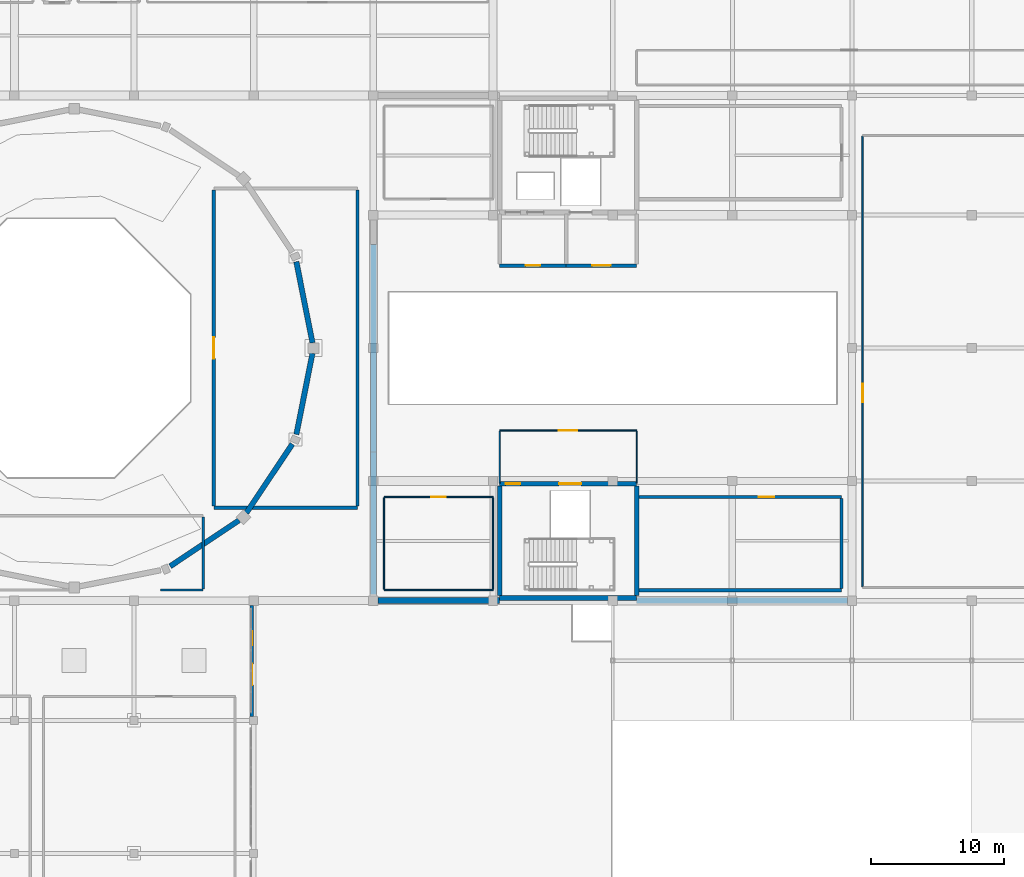
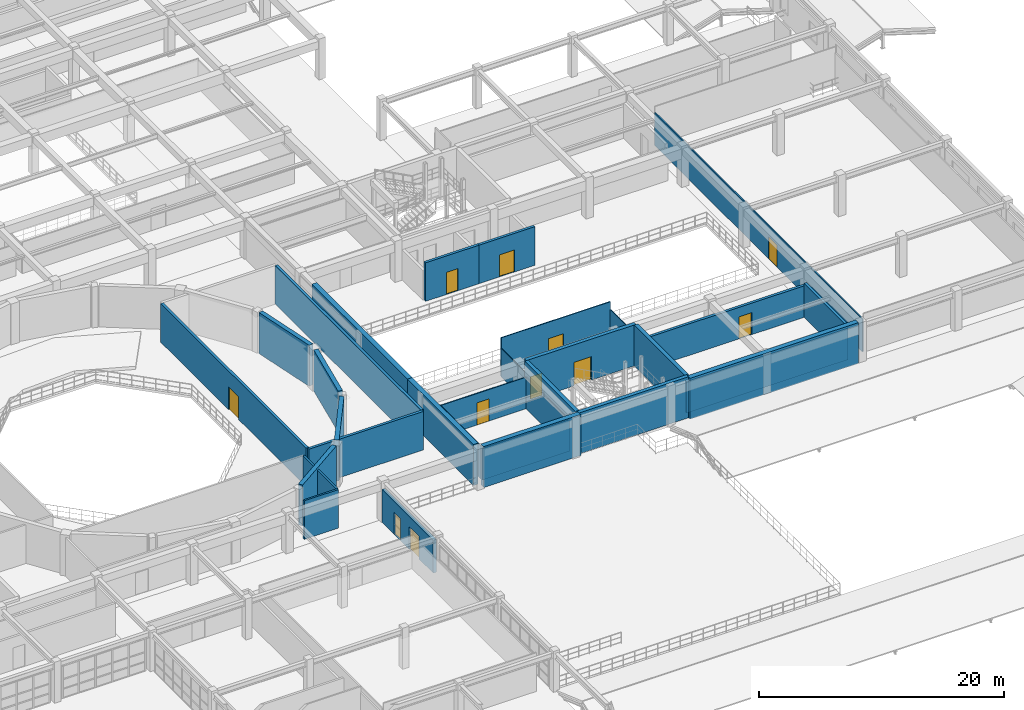
# One storey, part 95 of 110: 31 walls, 11 doors, 11 openings.
"""IFC4 building model written with IfcOpenShell, lengths in metres."""

from ifc_helpers import new_model, si_unit, direction, frame, frame_2d, origin, place, context, subcontext, project, spatial, rectangle, extrude, material, layer, layer_set, type_object, element, fill, save


model = new_model("IFC4")

# Units and contexts
model_context = context("Model", 3, precision=1e-05, world=origin(), true_north=direction((0.0, 1.0)))
body_context = subcontext(model_context, "Body", "Model", "MODEL_VIEW")
ifc_project = project(units=[si_unit("LENGTHUNIT", "METRE"), si_unit("AREAUNIT", "SQUARE_METRE"), si_unit("VOLUMEUNIT", "CUBIC_METRE"), si_unit("PLANEANGLEUNIT", "RADIAN"), si_unit("MASSUNIT", "GRAM", prefix="KILO")], contexts=[model_context])

# Site, building, storey
site_placement = place(None, origin())
site = spatial("IfcSite", under=ifc_project, at=site_placement, CompositionType="ELEMENT")
building_placement = place(site_placement, origin())
building = spatial("IfcBuilding", under=site, at=building_placement, Name="Miravela Opera House", CompositionType="ELEMENT")
storey_placement = place(building_placement, frame((0.0, 0.0, 13.60009765625)))
storey = spatial("IfcBuildingStorey", under=building, at=storey_placement, Name="L03", CompositionType="ELEMENT", Elevation=13.60009765625)

# Wall, openings, doors
ifc_material_1 = material(Name="Insulated cream lime-stuccoed masonry", Category="masonry")
ifc_layer_1 = layer(ifc_material_1, 0.2900390625)
ifc_layer_set_1 = layer_set([ifc_layer_1])
wall_type_1 = type_object("IfcWallType", Name="ARC-EW-STUCCO-290", PredefinedType="STANDARD", material=ifc_layer_set_1)
wall_1_placement = place(storey_placement, frame((89.85009765625, 28.300048828125, 0.0), z_axis=(0.0, 0.0, 1.0), x_axis=(0.0, 1.0, 0.0)))
wall_1 = element("IfcWall", 1, at=wall_1_placement, inside=storey, type_object=wall_type_1, Name="L03 South Planted Roof Terrace Portal Wall", PredefinedType="STANDARD", context=body_context, shape_type="SweptSolid", body=[
    extrude(rectangle(XDim=8.349853515625, YDim=0.2900390625, at=frame_2d((4.1748046875, 0.0))), origin(), (0.0, 0.0, 1.0), 3.27685546875),
])
opening_1_placement = place(wall_1_placement, frame((2.35009765625, 0.0, 0.0)))
opening_1 = element("IfcOpeningElement", 2, at=opening_1_placement, cuts=wall_1, Name="Opening TD-01", PredefinedType="OPENING", context=body_context, shape_type="SweptSolid", body=[
    extrude(rectangle(XDim=1.60009765625, YDim=2.25, at=frame_2d((0.800048828125, 1.125))), frame((0.0, 0.155029296875, 0.0), z_axis=(0.0, -1.0, 0.0), x_axis=(1.0, 0.0, 0.0)), (0.0, 0.0, 1.0), 0.31005859375),
])
opening_2_placement = place(wall_1_placement, frame((5.35009765625, 0.0, 0.0)))
opening_2 = element("IfcOpeningElement", 3, at=opening_2_placement, cuts=wall_1, Name="Opening TD-02", PredefinedType="OPENING", context=body_context, shape_type="SweptSolid", body=[
    extrude(rectangle(XDim=1.050048828125, YDim=2.199951171875, at=frame_2d((0.52490234375, 1.10009765625))), frame((0.0, 0.155029296875, 0.0), z_axis=(0.0, -1.0, 0.0), x_axis=(1.0, 0.0, 0.0)), (0.0, 0.0, 1.0), 0.31005859375),
])
ifc_material_2 = material(Name="Anodised architectural bronze aluminium 6063-T6", Category="aluminium")
door_type_1 = type_object("IfcDoorType", Name="ARC-TD-1050X2200", OperationType="NOTDEFINED", PredefinedType="DOOR", material=ifc_material_2)
door_1_placement = place(opening_2_placement, frame((1.050048828125, 0.0, 0.0), z_axis=(0.0, 0.0, 1.0), x_axis=(-1.0, 0.0, 0.0)))
door_1 = element("IfcDoor", 4, at=door_1_placement, inside=storey, type_object=door_type_1, Name="L03 South Planted Roof Terrace Access Door 2 EXD-L03-031", OperationType="SINGLE_SWING_LEFT", OverallHeight=2.199951171875, OverallWidth=1.050048828125, PredefinedType="DOOR", context=body_context, shape_type="SweptSolid", body=[
    extrude(rectangle(XDim=1.050048828125, YDim=2.199951171875, at=frame_2d((0.52490234375, 1.10009765625))), frame((0.0, 0.02490234375, 0.0), z_axis=(0.0, -1.0, 0.0), x_axis=(1.0, 0.0, 0.0)), (0.0, 0.0, 1.0), 0.050048828125),
])
fill(opening_2, door_1)
door_type_2 = type_object("IfcDoorType", Name="ARC-TD-1600X2250", OperationType="NOTDEFINED", PredefinedType="DOOR", material=ifc_material_2)
door_2_placement = place(opening_1_placement, frame((1.60009765625, 0.0, 0.0), z_axis=(0.0, 0.0, 1.0), x_axis=(-1.0, 0.0, 0.0)))
door_2 = element("IfcDoor", 5, at=door_2_placement, inside=storey, type_object=door_type_2, Name="L03 South Planted Roof Terrace Access Door 1 EXD-L03-030", OperationType="DOUBLE_DOOR_SINGLE_SWING", OverallHeight=2.25, OverallWidth=1.60009765625, PredefinedType="DOOR", context=body_context, shape_type="SweptSolid", body=[
    extrude(rectangle(XDim=1.60009765625, YDim=2.25, at=frame_2d((0.800048828125, 1.125))), frame((0.0, 0.02490234375, 0.0), z_axis=(0.0, -1.0, 0.0), x_axis=(1.0, 0.0, 0.0)), (0.0, 0.0, 1.0), 0.050048828125),
])
fill(opening_1, door_2)

# Wall, opening, door
ifc_material_3 = material(Name="Acoustic metal-stud gypsum partition")
ifc_layer_2 = layer(ifc_material_3, 0.090087890625)
ifc_layer_set_2 = layer_set([ifc_layer_2])
wall_type_2 = type_object("IfcWallType", Name="ARC-PT-090", PredefinedType="PARTITIONING", material=ifc_layer_set_2)
wall_2_placement = place(storey_placement, frame((108.5, 49.800048828125, 0.0), z_axis=(0.0, 0.0, 1.0), x_axis=(1.0, 0.0, 0.0)))
wall_2 = element("IfcWall", 6, at=wall_2_placement, inside=storey, type_object=wall_type_2, Name="Passenger Lift Lobby K4 L03 Partition North", PredefinedType="PARTITIONING", context=body_context, shape_type="SweptSolid", body=[
    extrude(rectangle(XDim=10.300048828125, YDim=0.090087890625, at=frame_2d((5.14990234375, 0.0))), origin(), (0.0, 0.0, 1.0), 3.83984375),
])
opening_3_placement = place(wall_2_placement, frame((4.449951171875, 0.0, 0.0)))
opening_3 = element("IfcOpeningElement", 7, at=opening_3_placement, cuts=wall_2, Name="Opening FD-03", PredefinedType="OPENING", context=body_context, shape_type="SweptSolid", body=[
    extrude(rectangle(XDim=1.39990234375, YDim=2.199951171875, at=frame_2d((0.699951171875, 1.10009765625))), frame((0.0, 0.054931640625, 0.0), z_axis=(0.0, -1.0, 0.0), x_axis=(1.0, 0.0, 0.0)), (0.0, 0.0, 1.0), 0.110107421875),
])
ifc_material_4 = material(Name="Fire-rated lobby/archive double door")
door_type_3 = type_object("IfcDoorType", Name="ARC-FD-1400X2200", OperationType="NOTDEFINED", PredefinedType="DOOR", material=ifc_material_4)
door_3_placement = place(opening_3_placement, origin())
door_3 = element("IfcDoor", 8, at=door_3_placement, inside=storey, type_object=door_type_3, Name="Passenger Lift Lobby K4 L03 Entry Door IDR-L03-0265", OperationType="DOUBLE_DOOR_SINGLE_SWING", OverallHeight=2.199951171875, OverallWidth=1.39990234375, PredefinedType="DOOR", context=body_context, shape_type="SweptSolid", body=[
    extrude(rectangle(XDim=1.39990234375, YDim=2.199951171875, at=frame_2d((0.699951171875, 1.10009765625))), frame((0.0, 0.02490234375, 0.0), z_axis=(0.0, -1.0, 0.0), x_axis=(1.0, 0.0, 0.0)), (0.0, 0.0, 1.0), 0.050048828125),
])
fill(opening_3, door_3)

# Walls
wall_3_placement = place(storey_placement, frame((108.5, 45.844970703125, 0.0), z_axis=(0.0, 0.0, 1.0), x_axis=(0.0, 1.0, 0.0)))
element("IfcWall", 9, at=wall_3_placement, inside=storey, type_object=wall_type_2, Name="Passenger Lift Lobby K4 L03 Partition West", PredefinedType="PARTITIONING", context=body_context, shape_type="SweptSolid", body=[
    extrude(rectangle(XDim=3.909912109375, YDim=0.090087890625, at=frame_2d((1.955078125, 0.0))), origin(), (0.0, 0.0, 1.0), 2.81982421875),
])
wall_4_placement = place(storey_placement, frame((118.800048828125, 45.844970703125, 0.0), z_axis=(0.0, 0.0, 1.0), x_axis=(0.0, 1.0, 0.0)))
element("IfcWall", 10, at=wall_4_placement, inside=storey, type_object=wall_type_2, Name="Passenger Lift Lobby K4 L03 Partition East", PredefinedType="PARTITIONING", context=body_context, shape_type="SweptSolid", body=[
    extrude(rectangle(XDim=3.909912109375, YDim=0.090087890625, at=frame_2d((1.955078125, 0.0))), origin(), (0.0, 0.0, 1.0), 3.06982421875),
])
wall_5_placement = place(storey_placement, frame((99.800048828125, 37.800048828125, 0.0), z_axis=(0.0, 0.0, 1.0), x_axis=(1.0, 0.0, 0.0)))
element("IfcWall", 11, at=wall_5_placement, inside=storey, type_object=wall_type_2, Name="Orchestral Conducting Seminar Room Partition South", PredefinedType="PARTITIONING", context=body_context, shape_type="SweptSolid", body=[
    extrude(rectangle(XDim=8.199951171875, YDim=0.090087890625, at=frame_2d((4.10009765625, 0.0))), origin(), (0.0, 0.0, 1.0), 3.139892578125),
])

# Wall, opening, door
wall_6_placement = place(storey_placement, frame((99.800048828125, 44.800048828125, 0.0), z_axis=(0.0, 0.0, 1.0), x_axis=(1.0, 0.0, 0.0)))
wall_6 = element("IfcWall", 12, at=wall_6_placement, inside=storey, type_object=wall_type_2, Name="Orchestral Conducting Seminar Room Partition North", PredefinedType="PARTITIONING", context=body_context, shape_type="SweptSolid", body=[
    extrude(rectangle(XDim=8.199951171875, YDim=0.090087890625, at=frame_2d((4.10009765625, 0.0))), origin(), (0.0, 0.0, 1.0), 3.139892578125),
])
opening_4_placement = place(wall_6_placement, frame((3.550048828125, 0.0, 0.0)))
opening_4 = element("IfcOpeningElement", 13, at=opening_4_placement, cuts=wall_6, Name="Opening ID-03", PredefinedType="OPENING", context=body_context, shape_type="SweptSolid", body=[
    extrude(rectangle(XDim=1.10009765625, YDim=2.199951171875, at=frame_2d((0.550048828125, 1.10009765625))), frame((0.0, 0.054931640625, 0.0), z_axis=(0.0, -1.0, 0.0), x_axis=(1.0, 0.0, 0.0)), (0.0, 0.0, 1.0), 0.110107421875),
])
ifc_material_5 = material(Name="Acoustic hardwood studio door", Category="wood")
door_type_4 = type_object("IfcDoorType", Name="ARC-DR-1100X2200", OperationType="NOTDEFINED", PredefinedType="DOOR", material=ifc_material_5)
door_4_placement = place(opening_4_placement, frame((1.10009765625, 0.0, 0.0), z_axis=(0.0, 0.0, 1.0), x_axis=(-1.0, 0.0, 0.0)))
door_4 = element("IfcDoor", 14, at=door_4_placement, inside=storey, type_object=door_type_4, Name="Orchestral Conducting Seminar Room Entry Door IDR-L03-0295", OperationType="SINGLE_SWING_RIGHT", OverallHeight=2.199951171875, OverallWidth=1.10009765625, PredefinedType="DOOR", context=body_context, shape_type="SweptSolid", body=[
    extrude(rectangle(XDim=1.10009765625, YDim=2.199951171875, at=frame_2d((0.550048828125, 1.10009765625))), frame((0.0, 0.02490234375, 0.0), z_axis=(0.0, -1.0, 0.0), x_axis=(1.0, 0.0, 0.0)), (0.0, 0.0, 1.0), 0.050048828125),
])
fill(opening_4, door_4)

# Walls
wall_7_placement = place(storey_placement, frame((99.800048828125, 37.844970703125, 0.0), z_axis=(0.0, 0.0, 1.0), x_axis=(0.0, 1.0, 0.0)))
element("IfcWall", 15, at=wall_7_placement, inside=storey, type_object=wall_type_2, Name="Orchestral Conducting Seminar Room Partition West", PredefinedType="PARTITIONING", context=body_context, shape_type="SweptSolid", body=[
    extrude(rectangle(XDim=6.909912109375, YDim=0.090087890625, at=frame_2d((3.455078125, 0.0))), origin(), (0.0, 0.0, 1.0), 3.286865234375),
])
wall_8_placement = place(storey_placement, frame((108.0, 37.844970703125, 0.0), z_axis=(0.0, 0.0, 1.0), x_axis=(0.0, 1.0, 0.0)))
element("IfcWall", 16, at=wall_8_placement, inside=storey, type_object=wall_type_2, Name="Orchestral Conducting Seminar Room Partition East", PredefinedType="PARTITIONING", context=body_context, shape_type="SweptSolid", body=[
    extrude(rectangle(XDim=6.909912109375, YDim=0.090087890625, at=frame_2d((3.455078125, 0.0))), origin(), (0.0, 0.0, 1.0), 3.139892578125),
])

# Wall, opening, door
ifc_material_6 = material(Name="Double-layer acoustic gypsum partition")
ifc_layer_3 = layer(ifc_material_6, 0.110107421875)
ifc_layer_set_3 = layer_set([ifc_layer_3])
wall_type_3 = type_object("IfcWallType", Name="ARC-PT-110", PredefinedType="PARTITIONING", material=ifc_layer_set_3)
wall_9_placement = place(storey_placement, frame((135.800048828125, 38.054931640625, 0.0), z_axis=(0.0, 0.0, 1.0), x_axis=(0.0, 1.0, 0.0)))
wall_9 = element("IfcWall", 17, at=wall_9_placement, inside=storey, type_object=wall_type_3, Name="Stage Automation and Surtitle Studio Partition West", PredefinedType="PARTITIONING", context=body_context, shape_type="SweptSolid", body=[
    extrude(rectangle(XDim=33.89013671875, YDim=0.110107421875, at=frame_2d((16.945068359375, 0.0))), origin(), (0.0, 0.0, 1.0), 3.27685546875),
])
opening_5_placement = place(wall_9_placement, frame((13.87109375, 0.0, 0.0)))
opening_5 = element("IfcOpeningElement", 18, at=opening_5_placement, cuts=wall_9, Name="Opening FD-03", PredefinedType="OPENING", context=body_context, shape_type="SweptSolid", body=[
    extrude(rectangle(XDim=1.39990234375, YDim=2.199951171875, at=frame_2d((0.699951171875, 1.10009765625))), frame((0.0, 0.06494140625, 0.0), z_axis=(0.0, -1.0, 0.0), x_axis=(1.0, 0.0, 0.0)), (0.0, 0.0, 1.0), 0.130126953125),
])
door_5_placement = place(opening_5_placement, frame((1.39990234375, 0.0, 0.0), z_axis=(0.0, 0.0, 1.0), x_axis=(-1.0, 0.0, 0.0)))
door_5 = element("IfcDoor", 19, at=door_5_placement, inside=storey, type_object=door_type_3, Name="Stage Automation and Surtitle Studio Entry Door IDR-L03-0286", OperationType="DOUBLE_DOOR_SINGLE_SWING", OverallHeight=2.199951171875, OverallWidth=1.39990234375, PredefinedType="DOOR", context=body_context, shape_type="SweptSolid", body=[
    extrude(rectangle(XDim=1.39990234375, YDim=2.199951171875, at=frame_2d((0.699951171875, 1.10009765625))), frame((0.0, 0.02490234375, 0.0), z_axis=(0.0, -1.0, 0.0), x_axis=(1.0, 0.0, 0.0)), (0.0, 0.0, 1.0), 0.050048828125),
])
fill(opening_5, door_5)

# Walls
ifc_material_7 = material(Name="Rehearsal isolated acoustic partition")
ifc_layer_4 = layer(ifc_material_7, 0.169921875)
ifc_layer_set_4 = layer_set([ifc_layer_4])
wall_type_4 = type_object("IfcWallType", Name="ARC-PT-170", PredefinedType="PARTITIONING", material=ifc_layer_set_4)
wall_10_placement = place(storey_placement, frame((82.99609375, 37.800048828125, 0.0), z_axis=(0.0, 0.0, 1.0), x_axis=(1.0, 0.0, 0.0)))
element("IfcWall", 20, at=wall_10_placement, inside=storey, type_object=wall_type_4, Name="Principal Dancer Dressing Suite Partition South 2", PredefinedType="PARTITIONING", context=body_context, shape_type="SweptSolid", body=[
    extrude(rectangle(XDim=3.203857421875, YDim=0.169921875, at=frame_2d((1.60205078125, 0.0))), origin(), (0.0, 0.0, 1.0), 3.83984375),
])
wall_11_placement = place(storey_placement, frame((86.199951171875, 37.885009765625, 0.0), z_axis=(0.0, 0.0, 1.0), x_axis=(0.0, 1.0, 0.0)))
element("IfcWall", 21, at=wall_11_placement, inside=storey, type_object=wall_type_4, Name="Principal Dancer Dressing Suite Partition East", PredefinedType="PARTITIONING", context=body_context, shape_type="SweptSolid", body=[
    extrude(rectangle(XDim=5.429931640625, YDim=0.169921875, at=frame_2d((2.71484375, 0.0))), origin(), (0.0, 0.0, 1.0), 3.83984375),
])

# Wall, opening, door
ifc_material_8 = material(Name="Firefighting lobby compartment wall")
ifc_layer_5 = layer(ifc_material_8, 0.25)
ifc_layer_set_5 = layer_set([ifc_layer_5])
wall_type_5 = type_object("IfcWallType", Name="ARC-PT-220", PredefinedType="PARTITIONING", material=ifc_layer_set_5)
wall_12_placement = place(storey_placement, frame((108.5, 62.199951171875, 0.0), z_axis=(0.0, 0.0, 1.0), x_axis=(1.0, 0.0, 0.0)))
wall_12 = element("IfcWall", 22, at=wall_12_placement, inside=storey, type_object=wall_type_5, Name="Firefighting Lobby K3 L03 Partition South", PredefinedType="PARTITIONING", context=body_context, shape_type="SweptSolid", body=[
    extrude(rectangle(XDim=5.0, YDim=0.25, at=frame_2d((2.5, 0.0))), origin(), (0.0, 0.0, 1.0), 3.83984375),
])
opening_6_placement = place(wall_12_placement, frame((1.949951171875, 0.0, 0.0)))
opening_6 = element("IfcOpeningElement", 23, at=opening_6_placement, cuts=wall_12, Name="Opening FD-01", PredefinedType="OPENING", context=body_context, shape_type="SweptSolid", body=[
    extrude(rectangle(XDim=1.10009765625, YDim=2.199951171875, at=frame_2d((0.550048828125, 1.10009765625))), frame((0.0, 0.135009765625, 0.0), z_axis=(0.0, -1.0, 0.0), x_axis=(1.0, 0.0, 0.0)), (0.0, 0.0, 1.0), 0.27001953125),
])
ifc_material_9 = material(Name="Fire-rated steel/hardwood exit stair door", Category="steel")
door_type_5 = type_object("IfcDoorType", Name="ARC-FD-1100X2200", OperationType="NOTDEFINED", PredefinedType="DOOR", material=ifc_material_9)
door_6_placement = place(opening_6_placement, frame((1.10009765625, 0.0, 0.0), z_axis=(0.0, 0.0, 1.0), x_axis=(-1.0, 0.0, 0.0)))
door_6 = element("IfcDoor", 24, at=door_6_placement, inside=storey, type_object=door_type_5, Name="Firefighting Lobby K3 L03 Entry Door IDR-L03-0263", OperationType="SINGLE_SWING_LEFT", OverallHeight=2.199951171875, OverallWidth=1.10009765625, PredefinedType="DOOR", context=body_context, shape_type="SweptSolid", body=[
    extrude(rectangle(XDim=1.10009765625, YDim=2.199951171875, at=frame_2d((0.550048828125, 1.10009765625))), frame((0.0, 0.02490234375, 0.0), z_axis=(0.0, -1.0, 0.0), x_axis=(1.0, 0.0, 0.0)), (0.0, 0.0, 1.0), 0.050048828125),
])
fill(opening_6, door_6)

wall_13_placement = place(storey_placement, frame((113.5, 62.199951171875, 0.0), z_axis=(0.0, 0.0, 1.0), x_axis=(1.0, 0.0, 0.0)))
wall_13 = element("IfcWall", 25, at=wall_13_placement, inside=storey, type_object=wall_type_5, Name="Passenger Lift Lobby K3 L03 Partition South", PredefinedType="PARTITIONING", context=body_context, shape_type="SweptSolid", body=[
    extrude(rectangle(XDim=5.300048828125, YDim=0.25, at=frame_2d((2.64990234375, 0.0))), origin(), (0.0, 0.0, 1.0), 3.83984375),
])
opening_7_placement = place(wall_13_placement, frame((1.949951171875, 0.0, 0.0)))
opening_7 = element("IfcOpeningElement", 26, at=opening_7_placement, cuts=wall_13, Name="Opening FD-03", PredefinedType="OPENING", context=body_context, shape_type="SweptSolid", body=[
    extrude(rectangle(XDim=1.39990234375, YDim=2.199951171875, at=frame_2d((0.699951171875, 1.10009765625))), frame((0.0, 0.135009765625, 0.0), z_axis=(0.0, -1.0, 0.0), x_axis=(1.0, 0.0, 0.0)), (0.0, 0.0, 1.0), 0.27001953125),
])
door_7_placement = place(opening_7_placement, frame((1.39990234375, 0.0, 0.0), z_axis=(0.0, 0.0, 1.0), x_axis=(-1.0, 0.0, 0.0)))
door_7 = element("IfcDoor", 27, at=door_7_placement, inside=storey, type_object=door_type_3, Name="Passenger Lift Lobby K3 L03 Entry Door IDR-L03-0264", OperationType="DOUBLE_DOOR_SINGLE_SWING", OverallHeight=2.199951171875, OverallWidth=1.39990234375, PredefinedType="DOOR", context=body_context, shape_type="SweptSolid", body=[
    extrude(rectangle(XDim=1.39990234375, YDim=2.199951171875, at=frame_2d((0.699951171875, 1.10009765625))), frame((0.0, 0.02490234375, 0.0), z_axis=(0.0, -1.0, 0.0), x_axis=(1.0, 0.0, 0.0)), (0.0, 0.0, 1.0), 0.050048828125),
])
fill(opening_7, door_7)

# Wall
wall_14_placement = place(storey_placement, frame((87.0, 44.0, 0.0), z_axis=(0.0, 0.0, 1.0), x_axis=(1.0, 0.0, 0.0)))
element("IfcWall", 28, at=wall_14_placement, inside=storey, type_object=wall_type_5, Name="Opera Auditorium Upper Circle Partition South", PredefinedType="PARTITIONING", context=body_context, shape_type="SweptSolid", body=[
    extrude(rectangle(XDim=10.800048828125, YDim=0.25, at=frame_2d((5.39990234375, 0.0))), origin(), (0.0, 0.0, 1.0), 3.83984375),
])

# Wall, opening, door
wall_15_placement = place(storey_placement, frame((87.0, 44.125, 0.0), z_axis=(0.0, 0.0, 1.0), x_axis=(0.0, 1.0, 0.0)))
wall_15 = element("IfcWall", 29, at=wall_15_placement, inside=storey, type_object=wall_type_5, Name="Opera Auditorium Upper Circle Partition West", PredefinedType="PARTITIONING", context=body_context, shape_type="SweptSolid", body=[
    extrude(rectangle(XDim=23.75, YDim=0.25, at=frame_2d((11.875, 0.0))), origin(), (0.0, 0.0, 1.0), 3.83984375),
])
opening_8_placement = place(wall_15_placement, frame((11.074951171875, 0.0, 0.0)))
opening_8 = element("IfcOpeningElement", 30, at=opening_8_placement, cuts=wall_15, Name="Opening FD-04", PredefinedType="OPENING", context=body_context, shape_type="SweptSolid", body=[
    extrude(rectangle(XDim=1.60009765625, YDim=2.25, at=frame_2d((0.800048828125, 1.125))), frame((0.0, 0.135009765625, 0.0), z_axis=(0.0, -1.0, 0.0), x_axis=(1.0, 0.0, 0.0)), (0.0, 0.0, 1.0), 0.27001953125),
])
ifc_material_10 = material(Name="Fire-rated rehearsal/vomitory double door")
door_type_6 = type_object("IfcDoorType", Name="ARC-FD-1600X2250", OperationType="NOTDEFINED", PredefinedType="DOOR", material=ifc_material_10)
door_8_placement = place(opening_8_placement, origin())
door_8 = element("IfcDoor", 31, at=door_8_placement, inside=storey, type_object=door_type_6, Name="Opera Auditorium Upper Circle Entry Door IDR-L03-0271", OperationType="DOUBLE_DOOR_SINGLE_SWING", OverallHeight=2.25, OverallWidth=1.60009765625, PredefinedType="DOOR", context=body_context, shape_type="SweptSolid", body=[
    extrude(rectangle(XDim=1.60009765625, YDim=2.25, at=frame_2d((0.800048828125, 1.125))), frame((0.0, 0.02490234375, 0.0), z_axis=(0.0, -1.0, 0.0), x_axis=(1.0, 0.0, 0.0)), (0.0, 0.0, 1.0), 0.050048828125),
])
fill(opening_8, door_8)

# Walls
wall_16_placement = place(storey_placement, frame((97.800048828125, 44.125, 0.0), z_axis=(0.0, 0.0, 1.0), x_axis=(0.0, 1.0, 0.0)))
element("IfcWall", 32, at=wall_16_placement, inside=storey, type_object=wall_type_5, Name="Opera Auditorium Upper Circle Partition East", PredefinedType="PARTITIONING", context=body_context, shape_type="SweptSolid", body=[
    extrude(rectangle(XDim=23.75, YDim=0.25, at=frame_2d((11.875, 0.0))), origin(), (0.0, 0.0, 1.0), 3.83984375),
])
wall_17_placement = place(storey_placement, frame((118.97509765625, 37.800048828125, 0.0), z_axis=(0.0, 0.0, 1.0), x_axis=(1.0, 0.0, 0.0)))
element("IfcWall", 33, at=wall_17_placement, inside=storey, type_object=wall_type_5, Name="South Stage Counterweight Studio Partition South", PredefinedType="PARTITIONING", context=body_context, shape_type="SweptSolid", body=[
    extrude(rectangle(XDim=15.224853515625, YDim=0.25, at=frame_2d((7.6123046875, 0.0))), origin(), (0.0, 0.0, 1.0), 3.139892578125),
])

# Wall, opening, door
wall_18_placement = place(storey_placement, frame((118.97509765625, 44.800048828125, 0.0), z_axis=(0.0, 0.0, 1.0), x_axis=(1.0, 0.0, 0.0)))
wall_18 = element("IfcWall", 34, at=wall_18_placement, inside=storey, type_object=wall_type_5, Name="South Stage Counterweight Studio Partition North", PredefinedType="PARTITIONING", context=body_context, shape_type="SweptSolid", body=[
    extrude(rectangle(XDim=15.224853515625, YDim=0.25, at=frame_2d((7.6123046875, 0.0))), origin(), (0.0, 0.0, 1.0), 3.139892578125),
])
opening_9_placement = place(wall_18_placement, frame((8.990234375, 0.0, 0.0)))
opening_9 = element("IfcOpeningElement", 35, at=opening_9_placement, cuts=wall_18, Name="Opening FD-02", PredefinedType="OPENING", context=body_context, shape_type="SweptSolid", body=[
    extrude(rectangle(XDim=1.199951171875, YDim=2.199951171875, at=frame_2d((0.60009765625, 1.10009765625))), frame((0.0, 0.135009765625, 0.0), z_axis=(0.0, -1.0, 0.0), x_axis=(1.0, 0.0, 0.0)), (0.0, 0.0, 1.0), 0.27001953125),
])
ifc_material_11 = material(Name="Fire-rated gallery/plant exit door")
door_type_7 = type_object("IfcDoorType", Name="ARC-FD-1200X2200", OperationType="NOTDEFINED", PredefinedType="DOOR", material=ifc_material_11)
door_9_placement = place(opening_9_placement, frame((1.199951171875, 0.0, 0.0), z_axis=(0.0, 0.0, 1.0), x_axis=(-1.0, 0.0, 0.0)))
door_9 = element("IfcDoor", 36, at=door_9_placement, inside=storey, type_object=door_type_7, Name="South Stage Counterweight Studio Entry Door IDR-L03-0287", OperationType="SINGLE_SWING_RIGHT", OverallHeight=2.199951171875, OverallWidth=1.199951171875, PredefinedType="DOOR", context=body_context, shape_type="SweptSolid", body=[
    extrude(rectangle(XDim=1.199951171875, YDim=2.199951171875, at=frame_2d((0.60009765625, 1.10009765625))), frame((0.0, 0.02490234375, 0.0), z_axis=(0.0, -1.0, 0.0), x_axis=(1.0, 0.0, 0.0)), (0.0, 0.0, 1.0), 0.050048828125),
])
fill(opening_9, door_9)

# Walls
wall_19_placement = place(storey_placement, frame((134.199951171875, 37.925048828125, 0.0), z_axis=(0.0, 0.0, 1.0), x_axis=(0.0, 1.0, 0.0)))
element("IfcWall", 37, at=wall_19_placement, inside=storey, type_object=wall_type_5, Name="South Stage Counterweight Studio Partition East", PredefinedType="PARTITIONING", context=body_context, shape_type="SweptSolid", body=[
    extrude(rectangle(XDim=6.75, YDim=0.25, at=frame_2d((3.375, 0.0))), origin(), (0.0, 0.0, 1.0), 3.40283203125),
])
ifc_material_12 = material(Name="Concrete C40/50", Category="concrete")
ifc_layer_6 = layer(ifc_material_12, 0.35009765625)
ifc_layer_set_6 = layer_set([ifc_layer_6])
wall_type_6 = type_object("IfcWallType", Name="STR-WALL-CORE-350", PredefinedType="SHEAR", material=ifc_layer_set_6)
wall_20_placement = place(storey_placement, frame((108.5, 37.199951171875, 0.0), z_axis=(0.0, 0.0, 1.0), x_axis=(1.0, 0.0, 0.0)))
element("IfcWall", 38, at=wall_20_placement, inside=storey, type_object=wall_type_6, Name="Core K4 Shear Wall South (L03)", PredefinedType="SHEAR", context=body_context, shape_type="SweptSolid", body=[
    extrude(rectangle(XDim=10.300048828125, YDim=0.35009765625, at=frame_2d((5.14990234375, 0.0))), origin(), (0.0, 0.0, 1.0), 4.079833984375),
])

# Wall, openings, doors
wall_21_placement = place(storey_placement, frame((108.5, 45.800048828125, 0.0), z_axis=(0.0, 0.0, 1.0), x_axis=(1.0, 0.0, 0.0)))
wall_21 = element("IfcWall", 39, at=wall_21_placement, inside=storey, type_object=wall_type_6, Name="Core K4 Shear Wall North (L03)", PredefinedType="SHEAR", context=body_context, shape_type="SweptSolid", body=[
    extrude(rectangle(XDim=10.300048828125, YDim=0.35009765625, at=frame_2d((5.14990234375, 0.0))), origin(), (0.0, 0.0, 1.0), 4.079833984375),
])
opening_10_placement = place(wall_21_placement, frame((0.449951171875, 0.0, 0.0)))
opening_10 = element("IfcOpeningElement", 40, at=opening_10_placement, cuts=wall_21, Name="Opening FD-01", PredefinedType="OPENING", context=body_context, shape_type="SweptSolid", body=[
    extrude(rectangle(XDim=1.10009765625, YDim=2.199951171875, at=frame_2d((0.550048828125, 1.10009765625))), frame((0.0, 0.18505859375, 0.0), z_axis=(0.0, -1.0, 0.0), x_axis=(1.0, 0.0, 0.0)), (0.0, 0.0, 1.0), 0.3701171875),
])
opening_11_placement = place(wall_21_placement, frame((4.47509765625, 0.0, 0.0)))
opening_11 = element("IfcOpeningElement", 41, at=opening_11_placement, cuts=wall_21, Name="Opening LD-03", PredefinedType="OPENING", context=body_context, shape_type="SweptSolid", body=[
    extrude(rectangle(XDim=1.64990234375, YDim=2.340087890625, at=frame_2d((0.824951171875, 1.169921875))), frame((0.0, 0.18505859375, 0.0), z_axis=(0.0, -1.0, 0.0), x_axis=(1.0, 0.0, 0.0)), (0.0, 0.0, 1.0), 0.3701171875),
])
door_10_placement = place(opening_10_placement, frame((1.10009765625, 0.0, 0.0), z_axis=(0.0, 0.0, 1.0), x_axis=(-1.0, 0.0, 0.0)))
door_10 = element("IfcDoor", 42, at=door_10_placement, inside=storey, type_object=door_type_5, Name="Exit Stair ST-04 Rated Door (L03) IDR-L03-0027", OperationType="SINGLE_SWING_LEFT", OverallHeight=2.199951171875, OverallWidth=1.10009765625, PredefinedType="DOOR", context=body_context, shape_type="SweptSolid", body=[
    extrude(rectangle(XDim=1.10009765625, YDim=2.199951171875, at=frame_2d((0.550048828125, 1.10009765625))), frame((0.0, 0.02490234375, 0.0), z_axis=(0.0, -1.0, 0.0), x_axis=(1.0, 0.0, 0.0)), (0.0, 0.0, 1.0), 0.050048828125),
])
fill(opening_10, door_10)
ifc_material_13 = material(Name="Brushed stainless and bronze fire-rated lift landing door")
door_type_8 = type_object("IfcDoorType", Name="ARC-LD-FRT-1650X2350", OperationType="SLIDING_TO_LEFT", PredefinedType="DOOR", material=ifc_material_13)
door_11_placement = place(opening_11_placement, origin())
door_11 = element("IfcDoor", 43, at=door_11_placement, inside=storey, type_object=door_type_8, Name="Lift Landing Door FL-02 (L03)", OperationType="SLIDING_TO_LEFT", OverallHeight=2.340087890625, OverallWidth=1.64990234375, PredefinedType="DOOR", context=body_context, shape_type="SweptSolid", body=[
    extrude(rectangle(XDim=1.64990234375, YDim=2.340087890625, at=frame_2d((0.824951171875, 1.169921875))), frame((0.0, 0.02490234375, 0.0), z_axis=(0.0, -1.0, 0.0), x_axis=(1.0, 0.0, 0.0)), (0.0, 0.0, 1.0), 0.050048828125),
])
fill(opening_11, door_11)

# Walls
for number, where, z_axis, x_axis, name in (
    (44, (108.5, 37.375, 0.0), (0.0, 0.0, 1.0), (0.0, 1.0, 0.0), "Core K4 Shear Wall West (L03)"),
    (45, (118.800048828125, 37.375, 0.0), (0.0, 0.0, 1.0), (0.0, 1.0, 0.0), "Core K4 Shear Wall East (L03)"),
):
    element("IfcWall", number, at=place(storey_placement, frame(where, z_axis=z_axis, x_axis=x_axis)), inside=storey, type_object=wall_type_6, Name=name, PredefinedType="SHEAR", context=body_context, shape_type="SweptSolid", body=[
        extrude(rectangle(XDim=8.25, YDim=0.35009765625, at=frame_2d((4.125, 0.0))), origin(), (0.0, 0.0, 1.0), 4.079833984375),
    ])
ifc_layer_7 = layer(ifc_material_12, 0.39990234375)
ifc_layer_set_7 = layer_set([ifc_layer_7])
wall_type_7 = type_object("IfcWallType", Name="STR-WALL-DRUM-400", PredefinedType="SHEAR", material=ifc_layer_set_7)
wall_22_placement = place(storey_placement, frame((94.422119140625, 56.392333984375, 0.0), z_axis=(0.0, 0.0, 1.0), x_axis=(-0.195127752786, 0.980777834218, 0.0)))
element("IfcWall", 46, at=wall_22_placement, inside=storey, type_object=wall_type_7, Name="Auditorium Drum Shear Wall L03 Seg 1", PredefinedType="SHEAR", context=body_context, shape_type="SweptSolid", body=[
    extrude(rectangle(XDim=6.223388671875, YDim=0.39990234375, at=frame_2d((3.11181640625, 0.0))), origin(), (0.0, 0.0, 1.0), 4.079833984375),
])
for number, where, z_axis, x_axis, name in (
    (47, (83.720947265625, 39.59228515625, 0.0), (0.0, 0.0, 1.0), (0.831458341015, 0.555587101324, 0.0), "Auditorium Drum Shear Wall L03 Seg 14"),
    (48, (89.4501953125, 43.604736328125, 0.0), (0.0, 0.0, 1.0), (0.555587101324, 0.831458341015, 0.0), "Auditorium Drum Shear Wall L03 Seg 15"),
):
    element("IfcWall", number, at=place(storey_placement, frame(where, z_axis=z_axis, x_axis=x_axis)), inside=storey, type_object=wall_type_7, Name=name, PredefinedType="SHEAR", context=body_context, shape_type="SweptSolid", body=[
        extrude(rectangle(XDim=6.22314453125, YDim=0.39990234375, at=frame_2d((3.111572265625, 0.0))), origin(), (0.0, 0.0, 1.0), 4.079833984375),
    ])
wall_23_placement = place(storey_placement, frame((93.207763671875, 49.50390625, 0.0), z_axis=(0.0, 0.0, 1.0), x_axis=(0.195127752786, 0.980777834218, 0.0)))
element("IfcWall", 49, at=wall_23_placement, inside=storey, type_object=wall_type_7, Name="Auditorium Drum Shear Wall L03 Seg 16", PredefinedType="SHEAR", context=body_context, shape_type="SweptSolid", body=[
    extrude(rectangle(XDim=6.223388671875, YDim=0.39990234375, at=frame_2d((3.11181640625, 0.0))), origin(), (0.0, 0.0, 1.0), 4.079833984375),
])
ifc_layer_8 = layer(ifc_material_12, 0.449951171875)
ifc_layer_set_8 = layer_set([ifc_layer_8])
wall_type_8 = type_object("IfcWallType", Name="STR-WALL-PROSC-450", PredefinedType="SHEAR", material=ifc_layer_set_8)
wall_24_placement = place(storey_placement, frame((99.0, 37.449951171875, 0.0), z_axis=(0.0, 0.0, 1.0), x_axis=(0.0, 1.0, 0.0)))
element("IfcWall", 50, at=wall_24_placement, inside=storey, type_object=wall_type_8, Name="Proscenium Shear Wall South (L03)", PredefinedType="SHEAR", context=body_context, shape_type="SweptSolid", body=[
    extrude(rectangle(XDim=10.75, YDim=0.449951171875, at=frame_2d((5.375, 0.0))), origin(), (0.0, 0.0, 1.0), 4.079833984375),
])
wall_25_placement = place(storey_placement, frame((99.0, 48.199951171875, 0.0), z_axis=(0.0, 0.0, 1.0), x_axis=(0.0, 1.0, 0.0)))
element("IfcWall", 51, at=wall_25_placement, inside=storey, type_object=wall_type_8, Name="Proscenium Header Shear Wall (L03)", PredefinedType="SHEAR", context=body_context, shape_type="SweptSolid", body=[
    extrude(rectangle(XDim=15.60009765625, YDim=0.449951171875, at=frame_2d((7.800048828125, 0.0))), origin(), (0.0, 0.0, 1.0), 4.079833984375),
])
wall_26_placement = place(storey_placement, frame((99.35009765625, 37.0, 0.0), z_axis=(0.0, 0.0, 1.0), x_axis=(1.0, 0.0, 0.0)))
element("IfcWall", 52, at=wall_26_placement, inside=storey, type_object=wall_type_8, Name="Stage House South Shear Wall W (L03)", PredefinedType="SHEAR", context=body_context, shape_type="SweptSolid", body=[
    extrude(rectangle(XDim=9.14990234375, YDim=0.449951171875, at=frame_2d((4.574951171875, 0.0))), origin(), (0.0, 0.0, 1.0), 4.079833984375),
])
wall_27_placement = place(storey_placement, frame((118.800048828125, 37.0, 0.0), z_axis=(0.0, 0.0, 1.0), x_axis=(1.0, 0.0, 0.0)))
element("IfcWall", 53, at=wall_27_placement, inside=storey, type_object=wall_type_8, Name="Stage House South Shear Wall E (L03)", PredefinedType="SHEAR", context=body_context, shape_type="SweptSolid", body=[
    extrude(rectangle(XDim=15.849853515625, YDim=0.449951171875, at=frame_2d((7.9248046875, 0.0))), origin(), (0.0, 0.0, 1.0), 4.079833984375),
])

save(model, "model.ifc")
